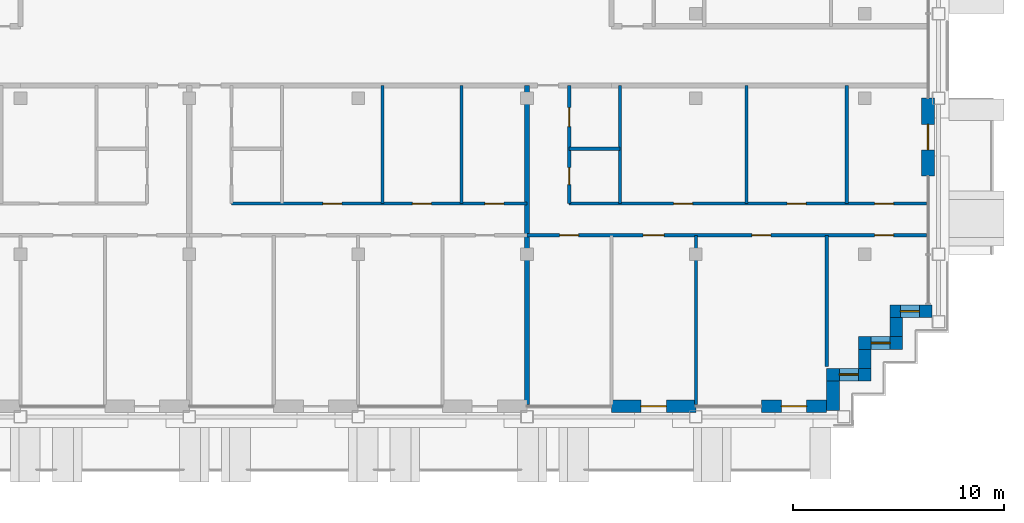
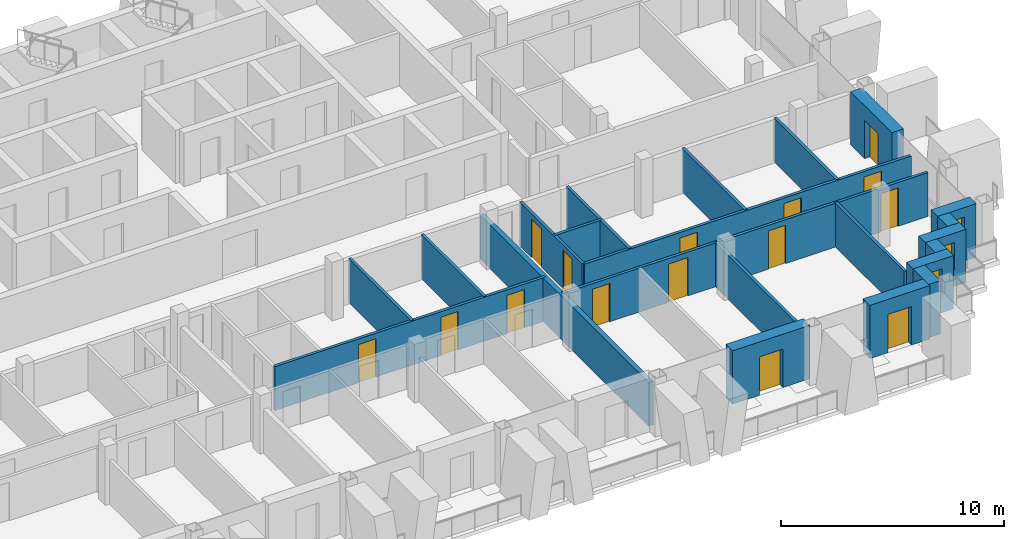
# One storey, part 9 of 16: 22 walls, 15 doors, 3 windows, 18 openings.
"""IFC4 building model written with IfcOpenShell, lengths in metres."""

from ifc_helpers import new_model, si_unit, direction, frame, frame_2d, origin, place, context, subcontext, project, spatial, rectangle, extrude, material, layer, layer_set, type_object, element, fill, save


model = new_model("IFC4")

# Units and contexts
model_context = context("Model", 3, precision=1e-05, world=origin(), true_north=direction((0.0, 1.0)))
body_context = subcontext(model_context, "Body", "Model", "MODEL_VIEW")
ifc_project = project(units=[si_unit("LENGTHUNIT", "METRE"), si_unit("AREAUNIT", "SQUARE_METRE"), si_unit("VOLUMEUNIT", "CUBIC_METRE"), si_unit("PLANEANGLEUNIT", "RADIAN"), si_unit("MASSUNIT", "GRAM", prefix="KILO")], contexts=[model_context])

# Site, building, storey
site_placement = place(None, origin())
site = spatial("IfcSite", under=ifc_project, at=site_placement, CompositionType="ELEMENT")
building_placement = place(site_placement, origin())
building = spatial("IfcBuilding", under=site, at=building_placement, Name="Vidyagriha Tower", CompositionType="ELEMENT")
storey_placement = place(building_placement, frame((0.0, 0.0, 230.0)))
storey = spatial("IfcBuildingStorey", under=building, at=storey_placement, Name="L60", CompositionType="ELEMENT", Elevation=230.0)

# Wall, opening, door
ifc_material_1 = material(Name="Precast concrete C40/50 with brick facing", Category="concrete")
ifc_layer_1 = layer(ifc_material_1, 0.60009765625)
ifc_layer_set_1 = layer_set([ifc_layer_1], Name="Precast concrete C40/50 with brick facing")
wall_type_1 = type_object("IfcWallType", Name="Brick-faced precast wall 600", PredefinedType="STANDARD", material=ifc_layer_set_1)
wall_1_placement = place(storey_placement, frame((14.0, -16.60009765625, 0.0)))
wall_1 = element("IfcWall", 1, at=wall_1_placement, inside=storey, type_object=wall_type_1, Name="Brick door bay wall L60 R23.11", PredefinedType="STANDARD", context=body_context, shape_type="SweptSolid", body=[
    extrude(rectangle(XDim=4.0, YDim=0.60009765625, at=frame_2d((2.0, 0.0))), origin(), (0.0, 0.0, 1.0), 2.919921875),
])
opening_1_placement = place(wall_1_placement, frame((1.39990234375, 0.0, 0.0)))
opening_1 = element("IfcOpeningElement", 2, at=opening_1_placement, cuts=wall_1, Name="Opening D60-66", PredefinedType="OPENING", context=body_context, shape_type="SweptSolid", body=[
    extrude(rectangle(XDim=1.199951171875, YDim=2.10009765625, at=frame_2d((0.60009765625, 1.050048828125))), frame((0.0, 0.31005859375, 0.0), z_axis=(0.0, -1.0, 0.0), x_axis=(1.0, 0.0, 0.0)), (0.0, 0.0, 1.0), 0.6201171875),
])
ifc_material_2 = material(Name="Aluminium framed glazed sliding door", Category="aluminium")
door_type_1 = type_object("IfcDoorType", Name="Balcony sliding door 1200x2100", OperationType="NOTDEFINED", PredefinedType="DOOR", material=ifc_material_2)
door_1_placement = place(opening_1_placement, origin())
door_1 = element("IfcDoor", 3, at=door_1_placement, inside=storey, type_object=door_type_1, Name="Door D60-66", OperationType="SLIDING_TO_LEFT", OverallHeight=2.10009765625, OverallWidth=1.199951171875, PredefinedType="DOOR", context=body_context, shape_type="SweptSolid", body=[
    extrude(rectangle(XDim=1.199951171875, YDim=2.10009765625, at=frame_2d((0.60009765625, 1.050048828125))), frame((0.0, 0.02490234375, 0.0), z_axis=(0.0, -1.0, 0.0), x_axis=(1.0, 0.0, 0.0)), (0.0, 0.0, 1.0), 0.050048828125),
])
fill(opening_1, door_1)

wall_2_placement = place(storey_placement, frame((21.10009765625, -16.60009765625, 0.0)))
wall_2 = element("IfcWall", 4, at=wall_2_placement, inside=storey, type_object=wall_type_1, Name="Brick door bay wall L60 R23.13", PredefinedType="STANDARD", context=body_context, shape_type="SweptSolid", body=[
    extrude(rectangle(XDim=3.099853515625, YDim=0.60009765625, at=frame_2d((1.5498046875, 0.0))), origin(), (0.0, 0.0, 1.0), 2.919921875),
])
opening_2_placement = place(wall_2_placement, frame((0.949951171875, 0.0, 0.0)))
opening_2 = element("IfcOpeningElement", 5, at=opening_2_placement, cuts=wall_2, Name="Opening D60-67", PredefinedType="OPENING", context=body_context, shape_type="SweptSolid", body=[
    extrude(rectangle(XDim=1.199951171875, YDim=2.10009765625, at=frame_2d((0.60009765625, 1.050048828125))), frame((0.0, 0.31005859375, 0.0), z_axis=(0.0, -1.0, 0.0), x_axis=(1.0, 0.0, 0.0)), (0.0, 0.0, 1.0), 0.6201171875),
])
door_2_placement = place(opening_2_placement, origin())
door_2 = element("IfcDoor", 6, at=door_2_placement, inside=storey, type_object=door_type_1, Name="Door D60-67", OperationType="SLIDING_TO_LEFT", OverallHeight=2.10009765625, OverallWidth=1.199951171875, PredefinedType="DOOR", context=body_context, shape_type="SweptSolid", body=[
    extrude(rectangle(XDim=1.199951171875, YDim=2.10009765625, at=frame_2d((0.60009765625, 1.050048828125))), frame((0.0, 0.02490234375, 0.0), z_axis=(0.0, -1.0, 0.0), x_axis=(1.0, 0.0, 0.0)), (0.0, 0.0, 1.0), 0.050048828125),
])
fill(opening_2, door_2)

# Wall
wall_3_placement = place(storey_placement, frame((24.5, -16.800048828125, 0.0), z_axis=(0.0, 0.0, 1.0), x_axis=(0.0, 1.0, 0.0)))
element("IfcWall", 7, at=wall_3_placement, inside=storey, type_object=wall_type_1, Name="Stepped corner wall L60 R24", PredefinedType="STANDARD", context=body_context, shape_type="SweptSolid", body=[
    extrude(rectangle(XDim=1.400146484375, YDim=0.60009765625, at=frame_2d((0.7001953125, 0.0))), origin(), (0.0, 0.0, 1.0), 2.919921875),
])

# Wall, opening, window
wall_4_placement = place(storey_placement, frame((24.199951171875, -15.10009765625, 0.0)))
wall_4 = element("IfcWall", 8, at=wall_4_placement, inside=storey, type_object=wall_type_1, Name="Stepped corner wall L60 R25", PredefinedType="STANDARD", context=body_context, shape_type="SweptSolid", body=[
    extrude(rectangle(XDim=2.10009765625, YDim=0.60009765625, at=frame_2d((1.050048828125, 0.0))), origin(), (0.0, 0.0, 1.0), 2.919921875),
])
opening_3_placement = place(wall_4_placement, frame((0.60009765625, 0.0, 0.89990234375)))
opening_3 = element("IfcOpeningElement", 9, at=opening_3_placement, cuts=wall_4, Name="Opening WN1", PredefinedType="OPENING", context=body_context, shape_type="SweptSolid", body=[
    extrude(rectangle(XDim=0.89990234375, YDim=1.5, at=frame_2d((0.449951171875, 0.75))), frame((0.0, 0.31005859375, 0.0), z_axis=(0.0, -1.0, 0.0), x_axis=(1.0, 0.0, 0.0)), (0.0, 0.0, 1.0), 0.6201171875),
])
ifc_material_3 = material(Name="Aluminium and glass window", Category="aluminium")
window_type = type_object("IfcWindowType", Name="Reveal window 900x1500", PartitioningType="NOTDEFINED", PredefinedType="WINDOW", material=ifc_material_3)
window_1_placement = place(opening_3_placement, origin())
window_1 = element("IfcWindow", 10, at=window_1_placement, inside=storey, type_object=window_type, Name="Reveal window L60 R25", OverallHeight=1.5, OverallWidth=0.89990234375, PartitioningType="SINGLE_PANEL", PredefinedType="WINDOW", context=body_context, shape_type="SweptSolid", body=[
    extrude(rectangle(XDim=0.89990234375, YDim=1.5, at=frame_2d((0.449951171875, 0.75))), frame((0.0, 0.030029296875, 0.0), z_axis=(0.0, -1.0, 0.0), x_axis=(1.0, 0.0, 0.0)), (0.0, 0.0, 1.0), 0.06005859375),
])
fill(opening_3, window_1)

# Wall
wall_5_placement = place(storey_placement, frame((26.0, -14.800048828125, 0.0), z_axis=(0.0, 0.0, 1.0), x_axis=(0.0, 1.0, 0.0)))
element("IfcWall", 11, at=wall_5_placement, inside=storey, type_object=wall_type_1, Name="Stepped corner wall L60 R26", PredefinedType="STANDARD", context=body_context, shape_type="SweptSolid", body=[
    extrude(rectangle(XDim=0.900146484375, YDim=0.60009765625, at=frame_2d((0.4501953125, 0.0))), origin(), (0.0, 0.0, 1.0), 2.919921875),
])

# Wall, opening, window
wall_6_placement = place(storey_placement, frame((25.699951171875, -13.60009765625, 0.0)))
wall_6 = element("IfcWall", 12, at=wall_6_placement, inside=storey, type_object=wall_type_1, Name="Stepped corner wall L60 R27", PredefinedType="STANDARD", context=body_context, shape_type="SweptSolid", body=[
    extrude(rectangle(XDim=2.10009765625, YDim=0.60009765625, at=frame_2d((1.050048828125, 0.0))), origin(), (0.0, 0.0, 1.0), 2.919921875),
])
opening_4_placement = place(wall_6_placement, frame((0.60009765625, 0.0, 0.89990234375)))
opening_4 = element("IfcOpeningElement", 13, at=opening_4_placement, cuts=wall_6, Name="Opening WN1", PredefinedType="OPENING", context=body_context, shape_type="SweptSolid", body=[
    extrude(rectangle(XDim=0.89990234375, YDim=1.5, at=frame_2d((0.449951171875, 0.75))), frame((0.0, 0.31005859375, 0.0), z_axis=(0.0, -1.0, 0.0), x_axis=(1.0, 0.0, 0.0)), (0.0, 0.0, 1.0), 0.6201171875),
])
window_2_placement = place(opening_4_placement, origin())
window_2 = element("IfcWindow", 14, at=window_2_placement, inside=storey, type_object=window_type, Name="Reveal window L60 R27", OverallHeight=1.5, OverallWidth=0.89990234375, PartitioningType="SINGLE_PANEL", PredefinedType="WINDOW", context=body_context, shape_type="SweptSolid", body=[
    extrude(rectangle(XDim=0.89990234375, YDim=1.5, at=frame_2d((0.449951171875, 0.75))), frame((0.0, 0.030029296875, 0.0), z_axis=(0.0, -1.0, 0.0), x_axis=(1.0, 0.0, 0.0)), (0.0, 0.0, 1.0), 0.06005859375),
])
fill(opening_4, window_2)

# Wall
wall_7_placement = place(storey_placement, frame((27.5, -13.300048828125, 0.0), z_axis=(0.0, 0.0, 1.0), x_axis=(0.0, 1.0, 0.0)))
element("IfcWall", 15, at=wall_7_placement, inside=storey, type_object=wall_type_1, Name="Stepped corner wall L60 R28", PredefinedType="STANDARD", context=body_context, shape_type="SweptSolid", body=[
    extrude(rectangle(XDim=0.900146484375, YDim=0.60009765625, at=frame_2d((0.4501953125, 0.0))), origin(), (0.0, 0.0, 1.0), 2.919921875),
])

# Wall, opening, window
wall_8_placement = place(storey_placement, frame((27.199951171875, -12.10009765625, 0.0)))
wall_8 = element("IfcWall", 16, at=wall_8_placement, inside=storey, type_object=wall_type_1, Name="Stepped corner wall L60 R29", PredefinedType="STANDARD", context=body_context, shape_type="SweptSolid", body=[
    extrude(rectangle(XDim=2.0, YDim=0.60009765625, at=frame_2d((1.0, 0.0))), origin(), (0.0, 0.0, 1.0), 2.919921875),
])
opening_5_placement = place(wall_8_placement, frame((0.489990234375, 0.0, 0.89990234375)))
opening_5 = element("IfcOpeningElement", 17, at=opening_5_placement, cuts=wall_8, Name="Opening WN1", PredefinedType="OPENING", context=body_context, shape_type="SweptSolid", body=[
    extrude(rectangle(XDim=0.89990234375, YDim=1.5, at=frame_2d((0.449951171875, 0.75))), frame((0.0, 0.31005859375, 0.0), z_axis=(0.0, -1.0, 0.0), x_axis=(1.0, 0.0, 0.0)), (0.0, 0.0, 1.0), 0.6201171875),
])
window_3_placement = place(opening_5_placement, origin())
window_3 = element("IfcWindow", 18, at=window_3_placement, inside=storey, type_object=window_type, Name="Reveal window L60 R29", OverallHeight=1.5, OverallWidth=0.89990234375, PartitioningType="SINGLE_PANEL", PredefinedType="WINDOW", context=body_context, shape_type="SweptSolid", body=[
    extrude(rectangle(XDim=0.89990234375, YDim=1.5, at=frame_2d((0.449951171875, 0.75))), frame((0.0, 0.030029296875, 0.0), z_axis=(0.0, -1.0, 0.0), x_axis=(1.0, 0.0, 0.0)), (0.0, 0.0, 1.0), 0.06005859375),
])
fill(opening_5, window_3)

# Wall, opening, door
wall_9_placement = place(storey_placement, frame((29.0, -5.699951171875, 0.0), z_axis=(0.0, 0.0, 1.0), x_axis=(0.0, 1.0, 0.0)))
wall_9 = element("IfcWall", 19, at=wall_9_placement, inside=storey, type_object=wall_type_1, Name="Brick door bay wall L60 R30.3", PredefinedType="STANDARD", context=body_context, shape_type="SweptSolid", body=[
    extrude(rectangle(XDim=3.699951171875, YDim=0.60009765625, at=frame_2d((1.85009765625, 0.0))), origin(), (0.0, 0.0, 1.0), 2.919921875),
])
opening_6_placement = place(wall_9_placement, frame((1.25, 0.0, 0.0)))
opening_6 = element("IfcOpeningElement", 20, at=opening_6_placement, cuts=wall_9, Name="Opening D60-68", PredefinedType="OPENING", context=body_context, shape_type="SweptSolid", body=[
    extrude(rectangle(XDim=1.199951171875, YDim=2.10009765625, at=frame_2d((0.60009765625, 1.050048828125))), frame((0.0, 0.31005859375, 0.0), z_axis=(0.0, -1.0, 0.0), x_axis=(1.0, 0.0, 0.0)), (0.0, 0.0, 1.0), 0.6201171875),
])
door_3_placement = place(opening_6_placement, origin())
door_3 = element("IfcDoor", 21, at=door_3_placement, inside=storey, type_object=door_type_1, Name="Door D60-68", OperationType="SLIDING_TO_LEFT", OverallHeight=2.10009765625, OverallWidth=1.199951171875, PredefinedType="DOOR", context=body_context, shape_type="SweptSolid", body=[
    extrude(rectangle(XDim=1.199951171875, YDim=2.10009765625, at=frame_2d((0.60009765625, 1.050048828125))), frame((0.0, 0.02490234375, 0.0), z_axis=(0.0, -1.0, 0.0), x_axis=(1.0, 0.0, 0.0)), (0.0, 0.0, 1.0), 0.050048828125),
])
fill(opening_6, door_3)

# Walls
ifc_material_4 = material(Name="Fired clay brick masonry", Category="masonry")
ifc_layer_2 = layer(ifc_material_4, 0.25)
ifc_layer_set_2 = layer_set([ifc_layer_2], Name="Fired clay brick masonry")
wall_type_2 = type_object("IfcWallType", Name="Fired clay brick demising wall 250", PredefinedType="PARTITIONING", material=ifc_layer_set_2)
wall_10_placement = place(storey_placement, frame((10.0, -1.39990234375, 0.0), z_axis=(0.0, 0.0, 1.0), x_axis=(0.0, -1.0, 0.0)))
element("IfcWall", 22, at=wall_10_placement, inside=storey, type_object=wall_type_2, Name="Wall all-L60-w062", PredefinedType="PARTITIONING", context=body_context, shape_type="SweptSolid", body=[
    extrude(rectangle(XDim=15.110107421875, YDim=0.25, at=frame_2d((7.55517578125, 0.0))), origin(), (0.0, 0.0, 1.0), 2.39990234375),
])
ifc_material_5 = material(Name="Gypsum board partition")
ifc_layer_3 = layer(ifc_material_5, 0.14990234375)
ifc_layer_set_3 = layer_set([ifc_layer_3], Name="Gypsum board partition")
wall_type_3 = type_object("IfcWallType", Name="Gypsum board partition 150", PredefinedType="PARTITIONING", material=ifc_layer_set_3)
for number, where, z_axis, x_axis, name in (
    (23, (3.14990234375, -1.39990234375, 0.0), (0.0, 0.0, 1.0), (0.0, -1.0, 0.0), "Wall all-L60-w026"),
    (24, (6.89990234375, -1.39990234375, 0.0), (0.0, 0.0, 1.0), (0.0, -1.0, 0.0), "Wall all-L60-w027"),
):
    element("IfcWall", number, at=place(storey_placement, frame(where, z_axis=z_axis, x_axis=x_axis)), inside=storey, type_object=wall_type_3, Name=name, PredefinedType="PARTITIONING", context=body_context, shape_type="SweptSolid", body=[
        extrude(rectangle(XDim=5.60009765625, YDim=0.14990234375, at=frame_2d((2.800048828125, 0.0))), origin(), (0.0, 0.0, 1.0), 2.39990234375),
    ])

# Wall, openings, doors
wall_11_placement = place(storey_placement, frame((-4.0, -7.0, 0.0)))
wall_11 = element("IfcWall", 25, at=wall_11_placement, inside=storey, type_object=wall_type_3, Name="Wall all-L60-w028", PredefinedType="PARTITIONING", context=body_context, shape_type="SweptSolid", body=[
    extrude(rectangle(XDim=14.0, YDim=0.14990234375, at=frame_2d((7.0, 0.0))), origin(), (0.0, 0.0, 1.0), 2.39990234375),
])
opening_7_placement = place(wall_11_placement, frame((4.324951171875, 0.0, 0.0)))
opening_7 = element("IfcOpeningElement", 26, at=opening_7_placement, cuts=wall_11, Name="Opening D60-27", PredefinedType="OPENING", context=body_context, shape_type="SweptSolid", body=[
    extrude(rectangle(XDim=0.89990234375, YDim=2.10009765625, at=frame_2d((0.449951171875, 1.050048828125))), frame((0.0, 0.0849609375, 0.0), z_axis=(0.0, -1.0, 0.0), x_axis=(1.0, 0.0, 0.0)), (0.0, 0.0, 1.0), 0.169921875),
])
opening_8_placement = place(wall_11_placement, frame((8.574951171875, 0.0, 0.0)))
opening_8 = element("IfcOpeningElement", 27, at=opening_8_placement, cuts=wall_11, Name="Opening D60-28", PredefinedType="OPENING", context=body_context, shape_type="SweptSolid", body=[
    extrude(rectangle(XDim=0.89990234375, YDim=2.10009765625, at=frame_2d((0.449951171875, 1.050048828125))), frame((0.0, 0.0849609375, 0.0), z_axis=(0.0, -1.0, 0.0), x_axis=(1.0, 0.0, 0.0)), (0.0, 0.0, 1.0), 0.169921875),
])
opening_9_placement = place(wall_11_placement, frame((12.0, 0.0, 0.0)))
opening_9 = element("IfcOpeningElement", 28, at=opening_9_placement, cuts=wall_11, Name="Opening D60-29", PredefinedType="OPENING", context=body_context, shape_type="SweptSolid", body=[
    extrude(rectangle(XDim=0.89990234375, YDim=2.10009765625, at=frame_2d((0.449951171875, 1.050048828125))), frame((0.0, 0.0849609375, 0.0), z_axis=(0.0, -1.0, 0.0), x_axis=(1.0, 0.0, 0.0)), (0.0, 0.0, 1.0), 0.169921875),
])
ifc_material_6 = material(Name="Timber door leaf", Category="wood")
door_type_2 = type_object("IfcDoorType", Name="Room door 900x2100", OperationType="NOTDEFINED", PredefinedType="DOOR", material=ifc_material_6)
door_4_placement = place(opening_7_placement, origin())
door_4 = element("IfcDoor", 29, at=door_4_placement, inside=storey, type_object=door_type_2, Name="Door D60-27", OperationType="SINGLE_SWING_RIGHT", OverallHeight=2.10009765625, OverallWidth=0.89990234375, PredefinedType="DOOR", context=body_context, shape_type="SweptSolid", body=[
    extrude(rectangle(XDim=0.89990234375, YDim=2.10009765625, at=frame_2d((0.449951171875, 1.050048828125))), frame((0.0, 0.02490234375, 0.0), z_axis=(0.0, -1.0, 0.0), x_axis=(1.0, 0.0, 0.0)), (0.0, 0.0, 1.0), 0.050048828125),
])
fill(opening_7, door_4)
door_5_placement = place(opening_8_placement, origin())
door_5 = element("IfcDoor", 30, at=door_5_placement, inside=storey, type_object=door_type_2, Name="Door D60-28", OperationType="SINGLE_SWING_RIGHT", OverallHeight=2.10009765625, OverallWidth=0.89990234375, PredefinedType="DOOR", context=body_context, shape_type="SweptSolid", body=[
    extrude(rectangle(XDim=0.89990234375, YDim=2.10009765625, at=frame_2d((0.449951171875, 1.050048828125))), frame((0.0, 0.02490234375, 0.0), z_axis=(0.0, -1.0, 0.0), x_axis=(1.0, 0.0, 0.0)), (0.0, 0.0, 1.0), 0.050048828125),
])
fill(opening_8, door_5)
door_6_placement = place(opening_9_placement, origin())
door_6 = element("IfcDoor", 31, at=door_6_placement, inside=storey, type_object=door_type_2, Name="Door D60-29", OperationType="SINGLE_SWING_LEFT", OverallHeight=2.10009765625, OverallWidth=0.89990234375, PredefinedType="DOOR", context=body_context, shape_type="SweptSolid", body=[
    extrude(rectangle(XDim=0.89990234375, YDim=2.10009765625, at=frame_2d((0.449951171875, 1.050048828125))), frame((0.0, 0.02490234375, 0.0), z_axis=(0.0, -1.0, 0.0), x_axis=(1.0, 0.0, 0.0)), (0.0, 0.0, 1.0), 0.050048828125),
])
fill(opening_9, door_6)

# Walls
wall_12_placement = place(storey_placement, frame((14.39990234375, -4.39990234375, 0.0), z_axis=(0.0, 0.0, 1.0), x_axis=(-1.0, 0.0, 0.0)))
element("IfcWall", 32, at=wall_12_placement, inside=storey, type_object=wall_type_3, Name="Wall all-L60-w045", PredefinedType="PARTITIONING", context=body_context, shape_type="SweptSolid", body=[
    extrude(rectangle(XDim=2.39990234375, YDim=0.14990234375, at=frame_2d((1.199951171875, 0.0))), origin(), (0.0, 0.0, 1.0), 2.39990234375),
])
for number, where, z_axis, x_axis, name in (
    (33, (14.39990234375, -1.39990234375, 0.0), (0.0, 0.0, 1.0), (0.0, -1.0, 0.0), "Wall all-L60-w046"),
    (34, (20.39990234375, -1.39990234375, 0.0), (0.0, 0.0, 1.0), (0.0, -1.0, 0.0), "Wall all-L60-w047"),
    (35, (25.14990234375, -1.39990234375, 0.0), (0.0, 0.0, 1.0), (0.0, -1.0, 0.0), "Wall all-L60-w048"),
):
    element("IfcWall", number, at=place(storey_placement, frame(where, z_axis=z_axis, x_axis=x_axis)), inside=storey, type_object=wall_type_3, Name=name, PredefinedType="PARTITIONING", context=body_context, shape_type="SweptSolid", body=[
        extrude(rectangle(XDim=5.60009765625, YDim=0.14990234375, at=frame_2d((2.800048828125, 0.0))), origin(), (0.0, 0.0, 1.0), 2.39990234375),
    ])

# Wall, openings, doors
wall_13_placement = place(storey_placement, frame((12.0, -7.0, 0.0)))
wall_13 = element("IfcWall", 36, at=wall_13_placement, inside=storey, type_object=wall_type_3, Name="Wall all-L60-w049", PredefinedType="PARTITIONING", context=body_context, shape_type="SweptSolid", body=[
    extrude(rectangle(XDim=16.919921875, YDim=0.14990234375, at=frame_2d((8.4599609375, 0.0))), origin(), (0.0, 0.0, 1.0), 2.39990234375),
])
opening_10_placement = place(wall_13_placement, frame((4.949951171875, 0.0, 0.0)))
opening_10 = element("IfcOpeningElement", 37, at=opening_10_placement, cuts=wall_13, Name="Opening D60-37", PredefinedType="OPENING", context=body_context, shape_type="SweptSolid", body=[
    extrude(rectangle(XDim=0.89990234375, YDim=2.10009765625, at=frame_2d((0.449951171875, 1.050048828125))), frame((0.0, 0.0849609375, 0.0), z_axis=(0.0, -1.0, 0.0), x_axis=(1.0, 0.0, 0.0)), (0.0, 0.0, 1.0), 0.169921875),
])
opening_11_placement = place(wall_13_placement, frame((10.324951171875, 0.0, 0.0)))
opening_11 = element("IfcOpeningElement", 38, at=opening_11_placement, cuts=wall_13, Name="Opening D60-38", PredefinedType="OPENING", context=body_context, shape_type="SweptSolid", body=[
    extrude(rectangle(XDim=0.89990234375, YDim=2.10009765625, at=frame_2d((0.449951171875, 1.050048828125))), frame((0.0, 0.0849609375, 0.0), z_axis=(0.0, -1.0, 0.0), x_axis=(1.0, 0.0, 0.0)), (0.0, 0.0, 1.0), 0.169921875),
])
opening_12_placement = place(wall_13_placement, frame((14.47509765625, 0.0, 0.0)))
opening_12 = element("IfcOpeningElement", 39, at=opening_12_placement, cuts=wall_13, Name="Opening D60-39", PredefinedType="OPENING", context=body_context, shape_type="SweptSolid", body=[
    extrude(rectangle(XDim=0.89990234375, YDim=2.10009765625, at=frame_2d((0.449951171875, 1.050048828125))), frame((0.0, 0.0849609375, 0.0), z_axis=(0.0, -1.0, 0.0), x_axis=(1.0, 0.0, 0.0)), (0.0, 0.0, 1.0), 0.169921875),
])
door_7_placement = place(opening_10_placement, origin())
door_7 = element("IfcDoor", 40, at=door_7_placement, inside=storey, type_object=door_type_2, Name="Door D60-37", OperationType="SINGLE_SWING_LEFT", OverallHeight=2.10009765625, OverallWidth=0.89990234375, PredefinedType="DOOR", context=body_context, shape_type="SweptSolid", body=[
    extrude(rectangle(XDim=0.89990234375, YDim=2.10009765625, at=frame_2d((0.449951171875, 1.050048828125))), frame((0.0, 0.02490234375, 0.0), z_axis=(0.0, -1.0, 0.0), x_axis=(1.0, 0.0, 0.0)), (0.0, 0.0, 1.0), 0.050048828125),
])
fill(opening_10, door_7)
door_8_placement = place(opening_11_placement, origin())
door_8 = element("IfcDoor", 41, at=door_8_placement, inside=storey, type_object=door_type_2, Name="Door D60-38", OperationType="SINGLE_SWING_RIGHT", OverallHeight=2.10009765625, OverallWidth=0.89990234375, PredefinedType="DOOR", context=body_context, shape_type="SweptSolid", body=[
    extrude(rectangle(XDim=0.89990234375, YDim=2.10009765625, at=frame_2d((0.449951171875, 1.050048828125))), frame((0.0, 0.02490234375, 0.0), z_axis=(0.0, -1.0, 0.0), x_axis=(1.0, 0.0, 0.0)), (0.0, 0.0, 1.0), 0.050048828125),
])
fill(opening_11, door_8)
door_9_placement = place(opening_12_placement, origin())
door_9 = element("IfcDoor", 42, at=door_9_placement, inside=storey, type_object=door_type_2, Name="Door D60-39", OperationType="SINGLE_SWING_RIGHT", OverallHeight=2.10009765625, OverallWidth=0.89990234375, PredefinedType="DOOR", context=body_context, shape_type="SweptSolid", body=[
    extrude(rectangle(XDim=0.89990234375, YDim=2.10009765625, at=frame_2d((0.449951171875, 1.050048828125))), frame((0.0, 0.02490234375, 0.0), z_axis=(0.0, -1.0, 0.0), x_axis=(1.0, 0.0, 0.0)), (0.0, 0.0, 1.0), 0.050048828125),
])
fill(opening_12, door_9)

wall_14_placement = place(storey_placement, frame((28.919921875, -8.5, 0.0), z_axis=(0.0, 0.0, 1.0), x_axis=(-1.0, 0.0, 0.0)))
wall_14 = element("IfcWall", 43, at=wall_14_placement, inside=storey, type_object=wall_type_3, Name="Wall all-L60-w053", PredefinedType="PARTITIONING", context=body_context, shape_type="SweptSolid", body=[
    extrude(rectangle(XDim=18.919921875, YDim=0.14990234375, at=frame_2d((9.4599609375, 0.0))), origin(), (0.0, 0.0, 1.0), 2.39990234375),
])
opening_13_placement = place(wall_14_placement, frame((16.469970703125, 0.0, 0.0)))
opening_13 = element("IfcOpeningElement", 44, at=opening_13_placement, cuts=wall_14, Name="Opening D60-40", PredefinedType="OPENING", context=body_context, shape_type="SweptSolid", body=[
    extrude(rectangle(XDim=0.89990234375, YDim=2.10009765625, at=frame_2d((0.449951171875, 1.050048828125))), frame((0.0, 0.0849609375, 0.0), z_axis=(0.0, -1.0, 0.0), x_axis=(1.0, 0.0, 0.0)), (0.0, 0.0, 1.0), 0.169921875),
])
opening_14_placement = place(wall_14_placement, frame((12.419921875, 0.0, 0.0)))
opening_14 = element("IfcOpeningElement", 45, at=opening_14_placement, cuts=wall_14, Name="Opening D60-41", PredefinedType="OPENING", context=body_context, shape_type="SweptSolid", body=[
    extrude(rectangle(XDim=1.0, YDim=2.10009765625, at=frame_2d((0.5, 1.050048828125))), frame((0.0, 0.0849609375, 0.0), z_axis=(0.0, -1.0, 0.0), x_axis=(1.0, 0.0, 0.0)), (0.0, 0.0, 1.0), 0.169921875),
])
opening_15_placement = place(wall_14_placement, frame((7.3701171875, 0.0, 0.0)))
opening_15 = element("IfcOpeningElement", 46, at=opening_15_placement, cuts=wall_14, Name="Opening D60-42", PredefinedType="OPENING", context=body_context, shape_type="SweptSolid", body=[
    extrude(rectangle(XDim=0.89990234375, YDim=2.10009765625, at=frame_2d((0.449951171875, 1.050048828125))), frame((0.0, 0.0849609375, 0.0), z_axis=(0.0, -1.0, 0.0), x_axis=(1.0, 0.0, 0.0)), (0.0, 0.0, 1.0), 0.169921875),
])
opening_16_placement = place(wall_14_placement, frame((1.5439453125, 0.0, 0.0)))
opening_16 = element("IfcOpeningElement", 47, at=opening_16_placement, cuts=wall_14, Name="Opening D60-43", PredefinedType="OPENING", context=body_context, shape_type="SweptSolid", body=[
    extrude(rectangle(XDim=0.89990234375, YDim=2.10009765625, at=frame_2d((0.449951171875, 1.050048828125))), frame((0.0, 0.0849609375, 0.0), z_axis=(0.0, -1.0, 0.0), x_axis=(1.0, 0.0, 0.0)), (0.0, 0.0, 1.0), 0.169921875),
])
ifc_material_7 = material(Name="Timber door leaf", Category="wood")
door_type_3 = type_object("IfcDoorType", Name="Room door 1000x2100", OperationType="NOTDEFINED", PredefinedType="DOOR", material=ifc_material_7)
door_10_placement = place(opening_14_placement, origin())
door_10 = element("IfcDoor", 48, at=door_10_placement, inside=storey, type_object=door_type_3, Name="Door D60-41", OperationType="SINGLE_SWING_RIGHT", OverallHeight=2.10009765625, OverallWidth=1.0, PredefinedType="DOOR", context=body_context, shape_type="SweptSolid", body=[
    extrude(rectangle(XDim=1.0, YDim=2.10009765625, at=frame_2d((0.5, 1.050048828125))), frame((0.0, 0.02490234375, 0.0), z_axis=(0.0, -1.0, 0.0), x_axis=(1.0, 0.0, 0.0)), (0.0, 0.0, 1.0), 0.050048828125),
])
fill(opening_14, door_10)
door_11_placement = place(opening_13_placement, origin())
door_11 = element("IfcDoor", 49, at=door_11_placement, inside=storey, type_object=door_type_2, Name="Door D60-40", OperationType="SINGLE_SWING_RIGHT", OverallHeight=2.10009765625, OverallWidth=0.89990234375, PredefinedType="DOOR", context=body_context, shape_type="SweptSolid", body=[
    extrude(rectangle(XDim=0.89990234375, YDim=2.10009765625, at=frame_2d((0.449951171875, 1.050048828125))), frame((0.0, 0.02490234375, 0.0), z_axis=(0.0, -1.0, 0.0), x_axis=(1.0, 0.0, 0.0)), (0.0, 0.0, 1.0), 0.050048828125),
])
fill(opening_13, door_11)
door_12_placement = place(opening_15_placement, origin())
door_12 = element("IfcDoor", 50, at=door_12_placement, inside=storey, type_object=door_type_2, Name="Door D60-42", OperationType="SINGLE_SWING_LEFT", OverallHeight=2.10009765625, OverallWidth=0.89990234375, PredefinedType="DOOR", context=body_context, shape_type="SweptSolid", body=[
    extrude(rectangle(XDim=0.89990234375, YDim=2.10009765625, at=frame_2d((0.449951171875, 1.050048828125))), frame((0.0, 0.02490234375, 0.0), z_axis=(0.0, -1.0, 0.0), x_axis=(1.0, 0.0, 0.0)), (0.0, 0.0, 1.0), 0.050048828125),
])
fill(opening_15, door_12)
door_13_placement = place(opening_16_placement, origin())
door_13 = element("IfcDoor", 51, at=door_13_placement, inside=storey, type_object=door_type_2, Name="Door D60-43", OperationType="SINGLE_SWING_LEFT", OverallHeight=2.10009765625, OverallWidth=0.89990234375, PredefinedType="DOOR", context=body_context, shape_type="SweptSolid", body=[
    extrude(rectangle(XDim=0.89990234375, YDim=2.10009765625, at=frame_2d((0.449951171875, 1.050048828125))), frame((0.0, 0.02490234375, 0.0), z_axis=(0.0, -1.0, 0.0), x_axis=(1.0, 0.0, 0.0)), (0.0, 0.0, 1.0), 0.050048828125),
])
fill(opening_16, door_13)

# Walls
wall_15_placement = place(storey_placement, frame((18.0, -8.5, 0.0), z_axis=(0.0, 0.0, 1.0), x_axis=(0.0, -1.0, 0.0)))
element("IfcWall", 52, at=wall_15_placement, inside=storey, type_object=wall_type_3, Name="Wall all-L60-w059", PredefinedType="PARTITIONING", context=body_context, shape_type="SweptSolid", body=[
    extrude(rectangle(XDim=8.010009765625, YDim=0.14990234375, at=frame_2d((4.0048828125, 0.0))), origin(), (0.0, 0.0, 1.0), 2.39990234375),
])
wall_16_placement = place(storey_placement, frame((24.199951171875, -8.5, 0.0), z_axis=(0.0, 0.0, 1.0), x_axis=(0.0, -1.0, 0.0)))
element("IfcWall", 53, at=wall_16_placement, inside=storey, type_object=wall_type_3, Name="Wall all-L60-w060", PredefinedType="PARTITIONING", context=body_context, shape_type="SweptSolid", body=[
    extrude(rectangle(XDim=6.219970703125, YDim=0.14990234375, at=frame_2d((3.10986328125, 0.0))), origin(), (0.0, 0.0, 1.0), 2.39990234375),
])

# Wall, openings, doors
ifc_material_8 = material(Name="Moisture resistant gypsum board partition")
ifc_layer_4 = layer(ifc_material_8, 0.14990234375)
ifc_layer_set_4 = layer_set([ifc_layer_4], Name="Moisture resistant gypsum board partition")
wall_type_4 = type_object("IfcWallType", Name="Gypsum board wet-area partition 150", PredefinedType="PARTITIONING", material=ifc_layer_set_4)
wall_17_placement = place(storey_placement, frame((12.0, -1.39990234375, 0.0), z_axis=(0.0, 0.0, 1.0), x_axis=(0.0, -1.0, 0.0)))
wall_17 = element("IfcWall", 54, at=wall_17_placement, inside=storey, type_object=wall_type_4, Name="Wall all-L60-w042", PredefinedType="PARTITIONING", context=body_context, shape_type="SweptSolid", body=[
    extrude(rectangle(XDim=5.60009765625, YDim=0.14990234375, at=frame_2d((2.800048828125, 0.0))), origin(), (0.0, 0.0, 1.0), 2.39990234375),
])
opening_17_placement = place(wall_17_placement, frame((1.050048828125, 0.0, 0.0)))
opening_17 = element("IfcOpeningElement", 55, at=opening_17_placement, cuts=wall_17, Name="Opening D60-35", PredefinedType="OPENING", context=body_context, shape_type="SweptSolid", body=[
    extrude(rectangle(XDim=0.89990234375, YDim=2.10009765625, at=frame_2d((0.449951171875, 1.050048828125))), frame((0.0, 0.0849609375, 0.0), z_axis=(0.0, -1.0, 0.0), x_axis=(1.0, 0.0, 0.0)), (0.0, 0.0, 1.0), 0.169921875),
])
opening_18_placement = place(wall_17_placement, frame((3.89990234375, 0.0, 0.0)))
opening_18 = element("IfcOpeningElement", 56, at=opening_18_placement, cuts=wall_17, Name="Opening D60-36", PredefinedType="OPENING", context=body_context, shape_type="SweptSolid", body=[
    extrude(rectangle(XDim=0.800048828125, YDim=2.10009765625, at=frame_2d((0.39990234375, 1.050048828125))), frame((0.0, 0.0849609375, 0.0), z_axis=(0.0, -1.0, 0.0), x_axis=(1.0, 0.0, 0.0)), (0.0, 0.0, 1.0), 0.169921875),
])
ifc_material_9 = material(Name="Timber door leaf", Category="wood")
door_type_4 = type_object("IfcDoorType", Name="Bathroom door 800x2100", OperationType="NOTDEFINED", PredefinedType="DOOR", material=ifc_material_9)
door_14_placement = place(opening_18_placement, origin())
door_14 = element("IfcDoor", 57, at=door_14_placement, inside=storey, type_object=door_type_4, Name="Door D60-36", OperationType="SINGLE_SWING_RIGHT", OverallHeight=2.10009765625, OverallWidth=0.800048828125, PredefinedType="DOOR", context=body_context, shape_type="SweptSolid", body=[
    extrude(rectangle(XDim=0.800048828125, YDim=2.10009765625, at=frame_2d((0.39990234375, 1.050048828125))), frame((0.0, 0.02490234375, 0.0), z_axis=(0.0, -1.0, 0.0), x_axis=(1.0, 0.0, 0.0)), (0.0, 0.0, 1.0), 0.050048828125),
])
fill(opening_18, door_14)
ifc_material_10 = material(Name="Timber door leaf", Category="wood")
door_type_5 = type_object("IfcDoorType", Name="Kitchen door 900x2100", OperationType="NOTDEFINED", PredefinedType="DOOR", material=ifc_material_10)
door_15_placement = place(opening_17_placement, origin())
door_15 = element("IfcDoor", 58, at=door_15_placement, inside=storey, type_object=door_type_5, Name="Door D60-35", OperationType="SINGLE_SWING_LEFT", OverallHeight=2.10009765625, OverallWidth=0.89990234375, PredefinedType="DOOR", context=body_context, shape_type="SweptSolid", body=[
    extrude(rectangle(XDim=0.89990234375, YDim=2.10009765625, at=frame_2d((0.449951171875, 1.050048828125))), frame((0.0, 0.02490234375, 0.0), z_axis=(0.0, -1.0, 0.0), x_axis=(1.0, 0.0, 0.0)), (0.0, 0.0, 1.0), 0.050048828125),
])
fill(opening_17, door_15)

save(model, "model.ifc")
